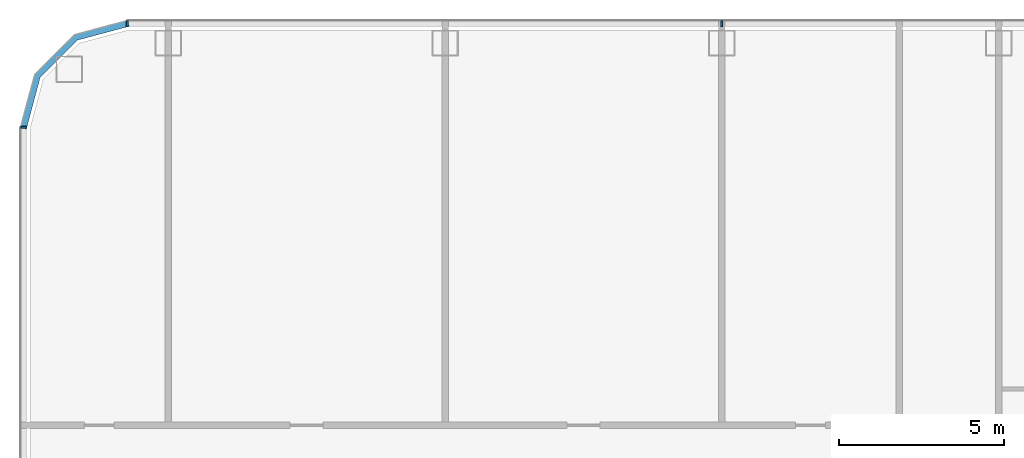
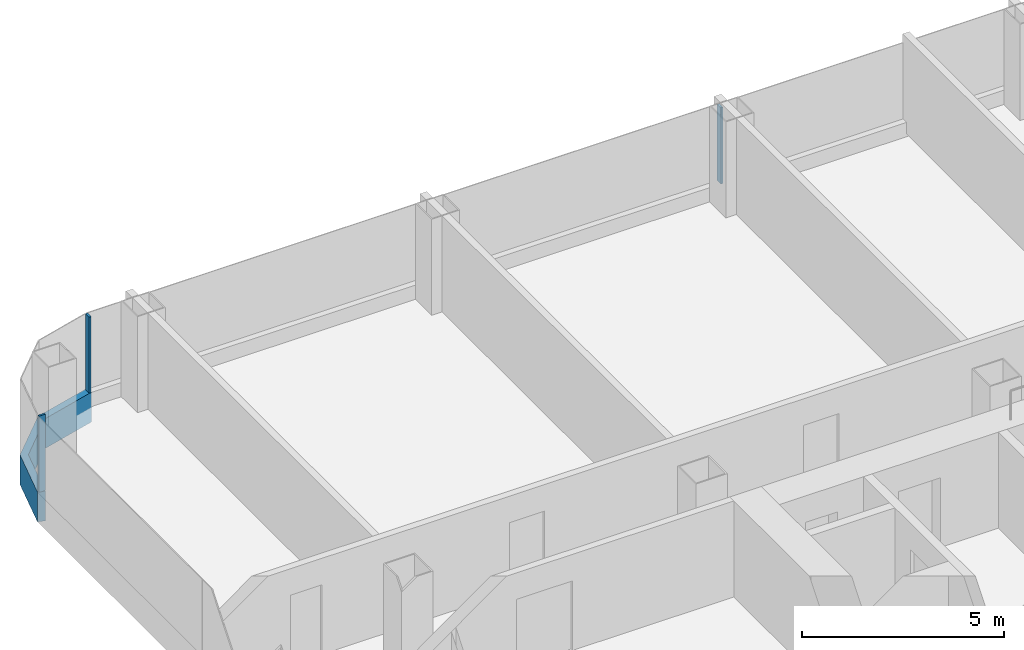
# One storey, part 7 of 29: 4 members, 3 elements without a shape of their own.
"""IFC4 building model written with IfcOpenShell, lengths in metres."""

from ifc_helpers import new_model, si_unit, direction, frame, origin, origin_2d, place, context, subcontext, project, spatial, polyline, rectangle, outline, extrude, material, layer, layer_set, material_profile, profile_set, type_object, element, aggregate, save


model = new_model("IFC4")

# Units and contexts
model_context = context("Model", 3, precision=1e-05, world=origin(), true_north=direction((0.0, 1.0)))
body_context = subcontext(model_context, "Body", "Model", "MODEL_VIEW")
ifc_project = project(units=[si_unit("LENGTHUNIT", "METRE"), si_unit("AREAUNIT", "SQUARE_METRE"), si_unit("VOLUMEUNIT", "CUBIC_METRE"), si_unit("PLANEANGLEUNIT", "RADIAN"), si_unit("MASSUNIT", "GRAM", prefix="KILO")], contexts=[model_context])

# Site, building, storey
site_placement = place(None, origin())
site = spatial("IfcSite", under=ifc_project, at=site_placement, CompositionType="ELEMENT")
building_placement = place(site_placement, origin())
building = spatial("IfcBuilding", under=site, at=building_placement, Name="Hakoniwa Tower and Hamabe Station Hall", CompositionType="ELEMENT")
storey_placement = place(building_placement, frame((0.0, 0.0, 117.0)))
storey = spatial("IfcBuildingStorey", under=building, at=storey_placement, Name="L33", CompositionType="ELEMENT", Elevation=117.0)

# Curtain wall, member
ifc_material_1 = material(Name="Dark low-e laminated glass", Category="glass")
ifc_layer = layer(ifc_material_1, 0.199951171875)
ifc_layer_set = layer_set([ifc_layer], Name="CW-1 UNITISED GUEST")
curtain_wall_type = type_object("IfcCurtainWallType", Name="CW-1 UNITISED GUEST", PredefinedType="NOTDEFINED", material=ifc_layer_set)
curtain_wall_1_placement = place(storey_placement, origin())
curtain_wall_1 = element("IfcCurtainWall", 1, at=curtain_wall_1_placement, inside=storey, type_object=curtain_wall_type, Name="CW-1 curtain wall", PredefinedType="NOTDEFINED")
ifc_material_2 = material(Name="Aluminium 6063-T5 black anodised", Category="aluminium")
ifc_material_profile_1 = material_profile(ifc_material_2, rectangle(XDim=0.199951171875, YDim=0.89990234375, at=origin_2d()), Name="CW SLAB-EDGE BAND 900X200")
ifc_profile_set_1 = profile_set([ifc_material_profile_1], Name="Aluminium 6063-T5 black anodised")
member_type_1 = type_object("IfcMemberType", Name="CW SLAB-EDGE BAND 900X200", PredefinedType="USERDEFINED", material=ifc_profile_set_1)
member_1_placement = place(storey_placement, frame((0.0, 0.0, -0.550048828125)))
member_1 = element("IfcMember", 2, at=member_1_placement, type_object=member_type_1, Name="CW-1 transom", ObjectType="TRANSOM", PredefinedType="USERDEFINED", context=body_context, shape_type="SweptSolid", body=[
    extrude(outline(polyline([(-43.239501953125, 23.550048828125), (-44.855224609375, 23.116943359375), (-46.067138671875, 21.9052734375), (-46.5, 20.28955078125), (-46.306884765625, 20.23779296875), (-45.8876953125, 21.8017578125), (-44.751708984375, 22.937744140625), (-43.187744140625, 23.35693359375), (-43.239501953125, 23.550048828125)])), origin(), (0.0, 0.0, 1.0), 0.900146484375),
])
aggregate(curtain_wall_1, [member_1])

# Curtain wall, members
curtain_wall_2_placement = place(storey_placement, origin())
curtain_wall_2 = element("IfcCurtainWall", 3, at=curtain_wall_2_placement, inside=storey, type_object=curtain_wall_type, Name="CW-1 curtain wall", PredefinedType="NOTDEFINED")
ifc_material_3 = material(Name="Aluminium 6063-T5 black anodised", Category="aluminium")
ifc_material_profile_2 = material_profile(ifc_material_3, rectangle(XDim=0.06005859375, YDim=0.179931640625, at=origin_2d()), Name="CW-1 MULLION 60X180")
ifc_profile_set_2 = profile_set([ifc_material_profile_2], Name="Aluminium 6063-T5 black anodised")
member_type_2 = type_object("IfcMemberType", Name="CW-1 MULLION 60X180", PredefinedType="MULLION", material=ifc_profile_set_2)
member_2_placement = place(storey_placement, frame((-25.199951171875, 23.431884765625, 0.35009765625), z_axis=(0.0, 0.0, 1.0), x_axis=(-1.0, 0.0, 0.0)))
member_2 = element("IfcMember", 4, at=member_2_placement, type_object=member_type_2, Name="CW-1 mullion", PredefinedType="MULLION", context=body_context, shape_type="SweptSolid", body=[
    extrude(rectangle(XDim=0.06005859375, YDim=0.179931640625, at=origin_2d()), origin(), (0.0, 0.0, 1.0), 2.2998046875),
])
member_3_placement = place(storey_placement, frame((-43.239501953125, 23.431884765625, 0.35009765625), z_axis=(0.0, 0.0, 1.0), x_axis=(-1.0, 0.0, 0.0)))
member_3 = element("IfcMember", 5, at=member_3_placement, type_object=member_type_2, Name="CW-1 mullion", PredefinedType="MULLION", context=body_context, shape_type="SweptSolid", body=[
    extrude(rectangle(XDim=0.06005859375, YDim=0.179931640625, at=origin_2d()), origin(), (0.0, 0.0, 1.0), 2.2998046875),
])
aggregate(curtain_wall_2, [member_2, member_3])

# Curtain wall, member
curtain_wall_3_placement = place(storey_placement, origin())
curtain_wall_3 = element("IfcCurtainWall", 6, at=curtain_wall_3_placement, inside=storey, type_object=curtain_wall_type, Name="CW-1 curtain wall", PredefinedType="NOTDEFINED")
member_4_placement = place(storey_placement, frame((-46.382080078125, 20.28955078125, 0.35009765625), z_axis=(0.0, 0.0, 1.0), x_axis=(0.0, -1.0, 0.0)))
member_4 = element("IfcMember", 7, at=member_4_placement, type_object=member_type_2, Name="CW-1 mullion", PredefinedType="MULLION", context=body_context, shape_type="SweptSolid", body=[
    extrude(rectangle(XDim=0.06005859375, YDim=0.179931640625, at=origin_2d()), origin(), (0.0, 0.0, 1.0), 2.2998046875),
])
aggregate(curtain_wall_3, [member_4])

save(model, "model.ifc")
